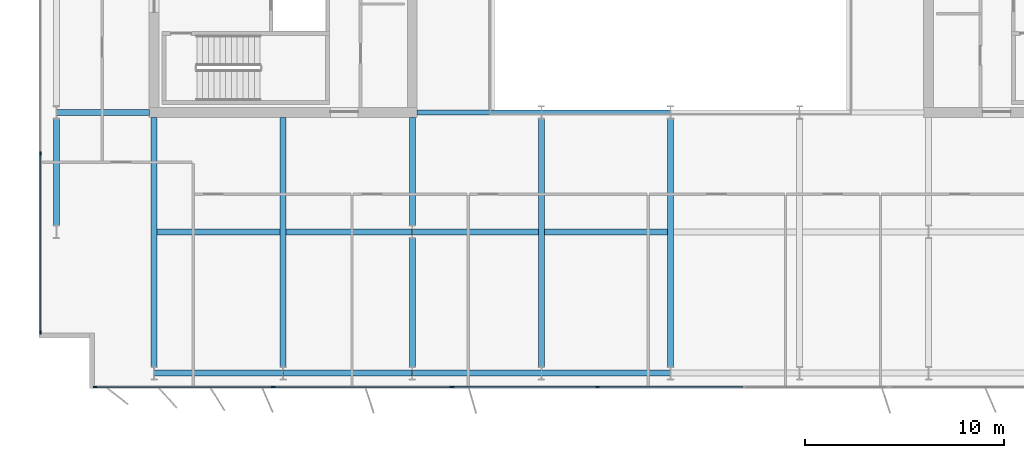
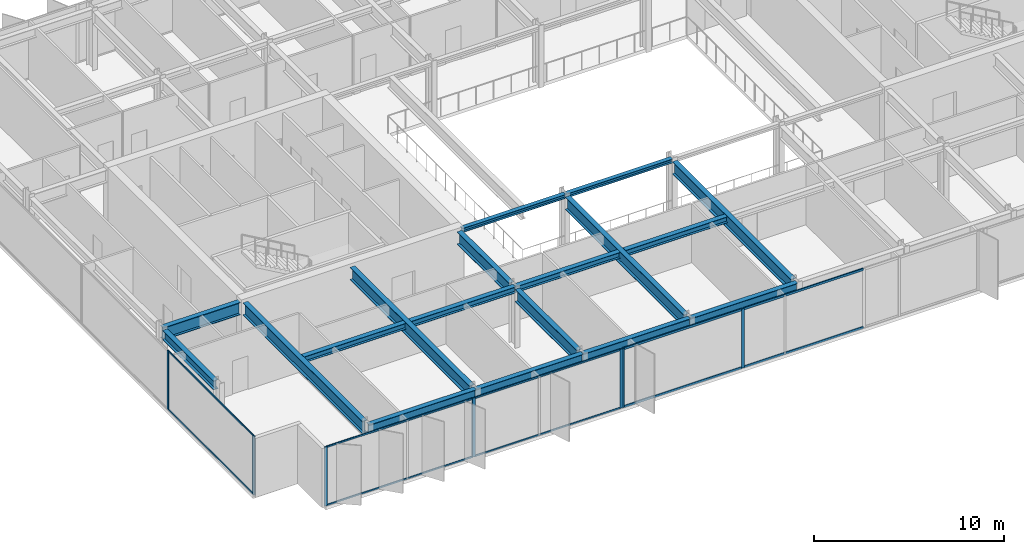
# One storey, part 4 of 20: 18 beams, 17 members, 3 elements without a shape of their own.
"""IFC4 building model written with IfcOpenShell, lengths in metres."""

from ifc_helpers import new_model, si_unit, direction, frame, origin, origin_2d, place, context, subcontext, project, spatial, rectangle, i_section, extrude, material, layer, layer_set, material_profile, profile_set, type_object, element, aggregate, save


model = new_model("IFC4")

# Units and contexts
model_context = context("Model", 3, precision=1e-05, world=origin(), true_north=direction((0.0, 1.0)))
body_context = subcontext(model_context, "Body", "Model", "MODEL_VIEW")
ifc_project = project(units=[si_unit("LENGTHUNIT", "METRE"), si_unit("AREAUNIT", "SQUARE_METRE"), si_unit("VOLUMEUNIT", "CUBIC_METRE"), si_unit("PLANEANGLEUNIT", "RADIAN"), si_unit("MASSUNIT", "GRAM", prefix="KILO")], contexts=[model_context])

# Site, building, storey
site_placement = place(None, origin())
site = spatial("IfcSite", under=ifc_project, at=site_placement, CompositionType="ELEMENT")
building_placement = place(site_placement, origin())
building = spatial("IfcBuilding", under=site, at=building_placement, Name="Putna Gate Headquarters", CompositionType="ELEMENT")
storey_placement = place(building_placement, frame((0.0, 0.0, 282.39990234375)))
storey = spatial("IfcBuildingStorey", under=building, at=storey_placement, Name="L71", CompositionType="ELEMENT", Elevation=282.39990234375)

# Beams
ifc_material_1 = material(Name="Steel S355J2", Category="steel")
ifc_material_profile_1 = material_profile(ifc_material_1, i_section(OverallWidth=0.260009765625, OverallDepth=0.260009765625, WebThickness=0.010009765625, FlangeThickness=0.017578125, at=origin_2d()), Name="Steel S355J2")
ifc_profile_set_1 = profile_set([ifc_material_profile_1], Name="Steel S355J2")
beam_type_1 = type_object("IfcBeamType", Name="BM-ATRIUM-HEB260", PredefinedType="BEAM", material=ifc_profile_set_1)
beam_1_placement = place(storey_placement, frame((26.235107421875, 19.0, 3.658203125), z_axis=(1.0, 0.0, 0.0), x_axis=(0.0, 1.0, 0.0)))
element("IfcBeam", 1, at=beam_1_placement, inside=storey, type_object=beam_type_1, Name="L71 Atrium Edge Beam AS1", PredefinedType="BEAM", context=body_context, shape_type="SweptSolid", body=[
    extrude(i_section(OverallWidth=0.260009765625, OverallDepth=0.260009765625, WebThickness=0.010009765625, FlangeThickness=0.017578125, at=origin_2d()), origin(), (0.0, 0.0, 1.0), 6.2587890625),
])
beam_2_placement = place(storey_placement, frame((32.506103515625, 19.0, 3.658203125), z_axis=(1.0, 0.0, 0.0), x_axis=(0.0, 1.0, 0.0)))
element("IfcBeam", 2, at=beam_2_placement, inside=storey, type_object=beam_type_1, Name="L71 Atrium Edge Beam AS2", PredefinedType="BEAM", context=body_context, shape_type="SweptSolid", body=[
    extrude(i_section(OverallWidth=0.260009765625, OverallDepth=0.260009765625, WebThickness=0.010009765625, FlangeThickness=0.017578125, at=origin_2d()), origin(), (0.0, 0.0, 1.0), 6.48779296875),
])
ifc_material_profile_2 = material_profile(ifc_material_1, i_section(OverallWidth=0.300048828125, OverallDepth=0.800048828125, WebThickness=0.017578125, FlangeThickness=0.032958984375, at=origin_2d()), Name="Steel S355J2")
ifc_profile_set_2 = profile_set([ifc_material_profile_2], Name="Steel S355J2")
beam_type_2 = type_object("IfcBeamType", Name="BM-GIRD-P-HEB800", PredefinedType="USERDEFINED", material=ifc_profile_set_2)
beam_3_placement = place(storey_placement, frame((8.0859375, 19.0, 3.38818359375), z_axis=(1.0, 0.0, 0.0), x_axis=(0.0, 1.0, 0.0)))
element("IfcBeam", 3, at=beam_3_placement, inside=storey, type_object=beam_type_2, Name="L71 West Wing Girder Y19", ObjectType="GIRDER", PredefinedType="USERDEFINED", context=body_context, shape_type="SweptSolid", body=[
    extrude(i_section(OverallWidth=0.300048828125, OverallDepth=0.800048828125, WebThickness=0.017578125, FlangeThickness=0.032958984375, at=origin_2d()), origin(), (0.0, 0.0, 1.0), 4.678955078125),
])
for number, where, z_axis, x_axis, name in (
    (4, (13.0, 6.201904296875, 3.38818359375), (0.0, 1.0, 0.0), (-1.0, 0.0, 0.0), "L71 South Primary Girder X13"),
    (5, (19.5, 6.201904296875, 3.38818359375), (0.0, 1.0, 0.0), (-1.0, 0.0, 0.0), "L71 South Primary Girder X19"),
):
    element("IfcBeam", number, at=place(storey_placement, frame(where, z_axis=z_axis, x_axis=x_axis)), inside=storey, type_object=beam_type_2, Name=name, ObjectType="GIRDER", PredefinedType="USERDEFINED", context=body_context, shape_type="SweptSolid", body=[
        extrude(i_section(OverallWidth=0.300048828125, OverallDepth=0.800048828125, WebThickness=0.017578125, FlangeThickness=0.032958984375, at=origin_2d()), origin(), (0.0, 0.0, 1.0), 12.56298828125),
    ])
beam_4_placement = place(storey_placement, frame((26.0, 6.201904296875, 3.38818359375), z_axis=(0.0, 1.0, 0.0), x_axis=(-1.0, 0.0, 0.0)))
element("IfcBeam", 6, at=beam_4_placement, inside=storey, type_object=beam_type_2, Name="L71 South Primary Girder X26-1", ObjectType="GIRDER", PredefinedType="USERDEFINED", context=body_context, shape_type="SweptSolid", body=[
    extrude(i_section(OverallWidth=0.300048828125, OverallDepth=0.800048828125, WebThickness=0.017578125, FlangeThickness=0.032958984375, at=origin_2d()), origin(), (0.0, 0.0, 1.0), 6.47607421875),
])
beam_5_placement = place(storey_placement, frame((26.0, 13.322021484375, 3.38818359375), z_axis=(0.0, 1.0, 0.0), x_axis=(-1.0, 0.0, 0.0)))
element("IfcBeam", 7, at=beam_5_placement, inside=storey, type_object=beam_type_2, Name="L71 South Primary Girder X26-2", ObjectType="GIRDER", PredefinedType="USERDEFINED", context=body_context, shape_type="SweptSolid", body=[
    extrude(i_section(OverallWidth=0.300048828125, OverallDepth=0.800048828125, WebThickness=0.017578125, FlangeThickness=0.032958984375, at=origin_2d()), origin(), (0.0, 0.0, 1.0), 5.44287109375),
])
for number, where, z_axis, x_axis, name in (
    (8, (32.5, 6.201904296875, 3.38818359375), (0.0, 1.0, 0.0), (-1.0, 0.0, 0.0), "L71 South Primary Girder X32"),
    (9, (39.0, 6.201904296875, 3.38818359375), (0.0, 1.0, 0.0), (-1.0, 0.0, 0.0), "L71 South Primary Girder X39"),
):
    element("IfcBeam", number, at=place(storey_placement, frame(where, z_axis=z_axis, x_axis=x_axis)), inside=storey, type_object=beam_type_2, Name=name, ObjectType="GIRDER", PredefinedType="USERDEFINED", context=body_context, shape_type="SweptSolid", body=[
        extrude(i_section(OverallWidth=0.300048828125, OverallDepth=0.800048828125, WebThickness=0.017578125, FlangeThickness=0.032958984375, at=origin_2d()), origin(), (0.0, 0.0, 1.0), 12.47607421875),
    ])
ifc_material_profile_3 = material_profile(ifc_material_1, i_section(OverallWidth=0.300048828125, OverallDepth=0.389892578125, WebThickness=0.010986328125, FlangeThickness=0.01904296875, at=origin_2d()), Name="Steel S355J2")
ifc_profile_set_3 = profile_set([ifc_material_profile_3], Name="Steel S355J2")
beam_type_3 = type_object("IfcBeamType", Name="BM-SEC-Z5-HEA400", PredefinedType="BEAM", material=ifc_profile_set_3)
beam_6_placement = place(storey_placement, frame((13.154052734375, 13.0, 3.593017578125), z_axis=(1.0, 0.0, 0.0), x_axis=(0.0, 1.0, 0.0)))
element("IfcBeam", 10, at=beam_6_placement, inside=storey, type_object=beam_type_3, Name="L71 South Secondary Beam 1", PredefinedType="BEAM", context=body_context, shape_type="SweptSolid", body=[
    extrude(i_section(OverallWidth=0.300048828125, OverallDepth=0.389892578125, WebThickness=0.010986328125, FlangeThickness=0.01904296875, at=origin_2d()), origin(), (0.0, 0.0, 1.0), 6.19189453125),
])
for number, where, z_axis, x_axis, name in (
    (11, (19.654052734375, 13.0, 3.593017578125), (1.0, 0.0, 0.0), (0.0, 1.0, 0.0), "L71 South Secondary Beam 2"),
    (12, (26.006103515625, 13.0, 3.593017578125), (1.0, 0.0, 0.0), (0.0, 1.0, 0.0), "L71 South Secondary Beam 3"),
):
    element("IfcBeam", number, at=place(storey_placement, frame(where, z_axis=z_axis, x_axis=x_axis)), inside=storey, type_object=beam_type_3, Name=name, PredefinedType="BEAM", context=body_context, shape_type="SweptSolid", body=[
        extrude(i_section(OverallWidth=0.300048828125, OverallDepth=0.389892578125, WebThickness=0.010986328125, FlangeThickness=0.01904296875, at=origin_2d()), origin(), (0.0, 0.0, 1.0), 6.33984375),
    ])
beam_7_placement = place(storey_placement, frame((32.654052734375, 13.0, 3.593017578125), z_axis=(1.0, 0.0, 0.0), x_axis=(0.0, 1.0, 0.0)))
element("IfcBeam", 13, at=beam_7_placement, inside=storey, type_object=beam_type_3, Name="L71 South Secondary Beam 4", PredefinedType="BEAM", context=body_context, shape_type="SweptSolid", body=[
    extrude(i_section(OverallWidth=0.300048828125, OverallDepth=0.389892578125, WebThickness=0.010986328125, FlangeThickness=0.01904296875, at=origin_2d()), origin(), (0.0, 0.0, 1.0), 6.19189453125),
])
ifc_material_profile_4 = material_profile(ifc_material_1, i_section(OverallWidth=0.300048828125, OverallDepth=0.590087890625, WebThickness=0.012939453125, FlangeThickness=0.02490234375, at=origin_2d()), Name="Steel S355J2")
ifc_profile_set_4 = profile_set([ifc_material_profile_4], Name="Steel S355J2")
beam_type_4 = type_object("IfcBeamType", Name="BM-SPAN-Z4-HEA600", PredefinedType="SPANDREL", material=ifc_profile_set_4)
for number, where, z_axis, x_axis, name in (
    (14, (13.006103515625, 5.8798828125, 3.4931640625), (1.0, 0.0, 0.0), (0.0, 1.0, 0.0), "L71 S Perimeter Spandrel 1"),
    (15, (19.506103515625, 5.8798828125, 3.4931640625), (1.0, 0.0, 0.0), (0.0, 1.0, 0.0), "L71 S Perimeter Spandrel 2"),
    (16, (26.006103515625, 5.8798828125, 3.4931640625), (1.0, 0.0, 0.0), (0.0, 1.0, 0.0), "L71 S Perimeter Spandrel 3"),
    (17, (32.506103515625, 5.8798828125, 3.4931640625), (1.0, 0.0, 0.0), (0.0, 1.0, 0.0), "L71 S Perimeter Spandrel 4"),
):
    element("IfcBeam", number, at=place(storey_placement, frame(where, z_axis=z_axis, x_axis=x_axis)), inside=storey, type_object=beam_type_4, Name=name, PredefinedType="SPANDREL", context=body_context, shape_type="SweptSolid", body=[
        extrude(i_section(OverallWidth=0.300048828125, OverallDepth=0.590087890625, WebThickness=0.012939453125, FlangeThickness=0.02490234375, at=origin_2d()), origin(), (0.0, 0.0, 1.0), 6.48779296875),
    ])
beam_8_placement = place(storey_placement, frame((8.080078125, 13.322021484375, 3.4931640625), z_axis=(0.0, 1.0, 0.0), x_axis=(-1.0, 0.0, 0.0)))
element("IfcBeam", 18, at=beam_8_placement, inside=storey, type_object=beam_type_4, Name="L71 W End Spandrel 1", PredefinedType="SPANDREL", context=body_context, shape_type="SweptSolid", body=[
    extrude(i_section(OverallWidth=0.300048828125, OverallDepth=0.590087890625, WebThickness=0.012939453125, FlangeThickness=0.02490234375, at=origin_2d()), origin(), (0.0, 0.0, 1.0), 5.35595703125),
])

# Curtain wall, members
ifc_material_2 = material(Name="Anodised bronze aluminium curtain wall", Category="aluminium")
ifc_layer_1 = layer(ifc_material_2, 0.179931640625)
ifc_layer_set_1 = layer_set([ifc_layer_1], Name="Anodised bronze aluminium curtain wall")
curtain_wall_type_1 = type_object("IfcCurtainWallType", Name="CW-SYS-Z5", PredefinedType="USERDEFINED", material=ifc_layer_set_1)
curtain_wall_1_placement = place(storey_placement, origin())
curtain_wall_1 = element("IfcCurtainWall", 19, at=curtain_wall_1_placement, inside=storey, type_object=curtain_wall_type_1, Name="L71 South West Curtain Wall", ObjectType="STICK CURTAIN WALL", PredefinedType="USERDEFINED")
ifc_material_3 = material(Name="Anodised bronze aluminium EN AW-6060", Category="aluminium")
ifc_material_profile_5 = material_profile(ifc_material_3, rectangle(XDim=0.070068359375, YDim=0.179931640625, at=origin_2d()), Name="Anodised bronze aluminium EN AW-6060")
ifc_profile_set_5 = profile_set([ifc_material_profile_5], Name="Anodised bronze aluminium EN AW-6060")
member_type_1 = type_object("IfcMemberType", Name="MULL-CWM-5", PredefinedType="MULLION", material=ifc_profile_set_5)
member_1_placement = place(storey_placement, frame((10.034912109375, 5.179931640625, 0.0), z_axis=(0.0, 0.0, 1.0), x_axis=(0.0, 1.0, 0.0)))
member_1 = element("IfcMember", 20, at=member_1_placement, type_object=member_type_1, Name="CWS-5 mullion 1", PredefinedType="MULLION", context=body_context, shape_type="SweptSolid", body=[
    extrude(rectangle(XDim=0.070068359375, YDim=0.179931640625, at=origin_2d()), origin(), (0.0, 0.0, 1.0), 3.7880859375),
])
member_2_placement = place(storey_placement, frame((19.0, 5.179931640625, 0.0), z_axis=(0.0, 0.0, 1.0), x_axis=(0.0, 1.0, 0.0)))
member_2 = element("IfcMember", 21, at=member_2_placement, type_object=member_type_1, Name="CWS-5 mullion 2", PredefinedType="MULLION", context=body_context, shape_type="SweptSolid", body=[
    extrude(rectangle(XDim=0.070068359375, YDim=0.179931640625, at=origin_2d()), origin(), (0.0, 0.0, 1.0), 3.7880859375),
])
member_3_placement = place(storey_placement, frame((27.965087890625, 5.179931640625, 0.0), z_axis=(0.0, 0.0, 1.0), x_axis=(0.0, 1.0, 0.0)))
member_3 = element("IfcMember", 22, at=member_3_placement, type_object=member_type_1, Name="CWS-5 mullion 3", PredefinedType="MULLION", context=body_context, shape_type="SweptSolid", body=[
    extrude(rectangle(XDim=0.070068359375, YDim=0.179931640625, at=origin_2d()), origin(), (0.0, 0.0, 1.0), 3.7880859375),
])

curtain_wall_2_placement = place(storey_placement, origin())
curtain_wall_2 = element("IfcCurtainWall", 23, at=curtain_wall_2_placement, inside=storey, type_object=curtain_wall_type_1, Name="L71 West Curtain Wall", ObjectType="STICK CURTAIN WALL", PredefinedType="USERDEFINED")
member_4_placement = place(storey_placement, frame((7.280029296875, 7.93505859375, 0.0), z_axis=(0.0, 0.0, 1.0), x_axis=(-1.0, 0.0, 0.0)))
member_4 = element("IfcMember", 24, at=member_4_placement, type_object=member_type_1, Name="CWS-5 mullion 1", PredefinedType="MULLION", context=body_context, shape_type="SweptSolid", body=[
    extrude(rectangle(XDim=0.070068359375, YDim=0.179931640625, at=origin_2d()), origin(), (0.0, 0.0, 1.0), 3.7880859375),
])
member_5_placement = place(storey_placement, frame((7.280029296875, 16.949951171875, 0.0), z_axis=(0.0, 0.0, 1.0), x_axis=(-1.0, 0.0, 0.0)))
member_5 = element("IfcMember", 25, at=member_5_placement, type_object=member_type_1, Name="CWS-5 mullion 2", PredefinedType="MULLION", context=body_context, shape_type="SweptSolid", body=[
    extrude(rectangle(XDim=0.070068359375, YDim=0.179931640625, at=origin_2d()), origin(), (0.0, 0.0, 1.0), 3.7880859375),
])

ifc_layer_2 = layer(ifc_material_2, 0.179931640625)
ifc_layer_set_2 = layer_set([ifc_layer_2], Name="Anodised bronze aluminium curtain wall")
curtain_wall_type_2 = type_object("IfcCurtainWallType", Name="CW-SYS-ATR", PredefinedType="USERDEFINED", material=ifc_layer_set_2)
curtain_wall_3_placement = place(storey_placement, origin())
curtain_wall_3 = element("IfcCurtainWall", 26, at=curtain_wall_3_placement, inside=storey, type_object=curtain_wall_type_2, Name="L71 South Atrium Clear Glazing", ObjectType="ATRIUM GLAZING", PredefinedType="USERDEFINED")
ifc_material_profile_6 = material_profile(ifc_material_3, rectangle(XDim=0.070068359375, YDim=0.179931640625, at=origin_2d()), Name="Anodised bronze aluminium EN AW-6060")
ifc_profile_set_6 = profile_set([ifc_material_profile_6], Name="Anodised bronze aluminium EN AW-6060")
member_type_2 = type_object("IfcMemberType", Name="MULL-CWM-AT", PredefinedType="MULLION", material=ifc_profile_set_6)
member_6_placement = place(storey_placement, frame((28.034912109375, 5.179931640625, 0.0), z_axis=(0.0, 0.0, 1.0), x_axis=(0.0, 1.0, 0.0)))
member_6 = element("IfcMember", 27, at=member_6_placement, type_object=member_type_2, Name="CWS-AT mullion 1", PredefinedType="MULLION", context=body_context, shape_type="SweptSolid", body=[
    extrude(rectangle(XDim=0.070068359375, YDim=0.179931640625, at=origin_2d()), origin(), (0.0, 0.0, 1.0), 3.7880859375),
])
member_7_placement = place(storey_placement, frame((35.333251953125, 5.179931640625, 0.0), z_axis=(0.0, 0.0, 1.0), x_axis=(0.0, 1.0, 0.0)))
member_7 = element("IfcMember", 28, at=member_7_placement, type_object=member_type_2, Name="CWS-AT mullion 2", PredefinedType="MULLION", context=body_context, shape_type="SweptSolid", body=[
    extrude(rectangle(XDim=0.070068359375, YDim=0.179931640625, at=origin_2d()), origin(), (0.0, 0.0, 1.0), 3.7880859375),
])

# Member
ifc_material_profile_7 = material_profile(ifc_material_3, rectangle(XDim=0.06005859375, YDim=0.10009765625, at=origin_2d()), Name="Anodised bronze aluminium EN AW-6060")
ifc_profile_set_7 = profile_set([ifc_material_profile_7], Name="Anodised bronze aluminium EN AW-6060")
member_type_3 = type_object("IfcMemberType", Name="TRAN-CWT-5", PredefinedType="USERDEFINED", material=ifc_profile_set_7)
member_8_placement = place(storey_placement, frame((10.070068359375, 5.179931640625, 0.030029296875), z_axis=(1.0, 0.0, 0.0), x_axis=(0.0, 1.0, 0.0)))
member_8 = element("IfcMember", 29, at=member_8_placement, type_object=member_type_3, Name="CWS-5 transom 1.1", ObjectType="TRANSOM", PredefinedType="USERDEFINED", context=body_context, shape_type="SweptSolid", body=[
    extrude(rectangle(XDim=0.06005859375, YDim=0.10009765625, at=origin_2d()), origin(), (0.0, 0.0, 1.0), 8.89501953125),
])

member_9_placement = place(storey_placement, frame((10.070068359375, 5.179931640625, 3.758056640625), z_axis=(1.0, 0.0, 0.0), x_axis=(0.0, 1.0, 0.0)))
member_9 = element("IfcMember", 30, at=member_9_placement, type_object=member_type_3, Name="CWS-5 transom 1.2", ObjectType="TRANSOM", PredefinedType="USERDEFINED", context=body_context, shape_type="SweptSolid", body=[
    extrude(rectangle(XDim=0.06005859375, YDim=0.10009765625, at=origin_2d()), origin(), (0.0, 0.0, 1.0), 8.89501953125),
])

member_10_placement = place(storey_placement, frame((19.034912109375, 5.179931640625, 0.030029296875), z_axis=(1.0, 0.0, 0.0), x_axis=(0.0, 1.0, 0.0)))
member_10 = element("IfcMember", 31, at=member_10_placement, type_object=member_type_3, Name="CWS-5 transom 2.1", ObjectType="TRANSOM", PredefinedType="USERDEFINED", context=body_context, shape_type="SweptSolid", body=[
    extrude(rectangle(XDim=0.06005859375, YDim=0.10009765625, at=origin_2d()), origin(), (0.0, 0.0, 1.0), 8.89501953125),
])

member_11_placement = place(storey_placement, frame((19.034912109375, 5.179931640625, 3.758056640625), z_axis=(1.0, 0.0, 0.0), x_axis=(0.0, 1.0, 0.0)))
member_11 = element("IfcMember", 32, at=member_11_placement, type_object=member_type_3, Name="CWS-5 transom 2.2", ObjectType="TRANSOM", PredefinedType="USERDEFINED", context=body_context, shape_type="SweptSolid", body=[
    extrude(rectangle(XDim=0.06005859375, YDim=0.10009765625, at=origin_2d()), origin(), (0.0, 0.0, 1.0), 8.89501953125),
])

aggregate(curtain_wall_1, [member_1, member_2, member_3, member_8, member_9, member_10, member_11])

member_12_placement = place(storey_placement, frame((7.280029296875, 7.969970703125, 0.030029296875), z_axis=(0.0, 1.0, 0.0), x_axis=(-1.0, 0.0, 0.0)))
member_12 = element("IfcMember", 33, at=member_12_placement, type_object=member_type_3, Name="CWS-5 transom 1.1", ObjectType="TRANSOM", PredefinedType="USERDEFINED", context=body_context, shape_type="SweptSolid", body=[
    extrude(rectangle(XDim=0.06005859375, YDim=0.10009765625, at=origin_2d()), origin(), (0.0, 0.0, 1.0), 8.945068359375),
])

member_13_placement = place(storey_placement, frame((7.280029296875, 7.969970703125, 3.758056640625), z_axis=(0.0, 1.0, 0.0), x_axis=(-1.0, 0.0, 0.0)))
member_13 = element("IfcMember", 34, at=member_13_placement, type_object=member_type_3, Name="CWS-5 transom 1.2", ObjectType="TRANSOM", PredefinedType="USERDEFINED", context=body_context, shape_type="SweptSolid", body=[
    extrude(rectangle(XDim=0.06005859375, YDim=0.10009765625, at=origin_2d()), origin(), (0.0, 0.0, 1.0), 8.945068359375),
])

aggregate(curtain_wall_2, [member_4, member_5, member_12, member_13])

ifc_material_profile_8 = material_profile(ifc_material_3, rectangle(XDim=0.070068359375, YDim=0.139892578125, at=origin_2d()), Name="Anodised bronze aluminium EN AW-6060")
ifc_profile_set_8 = profile_set([ifc_material_profile_8], Name="Anodised bronze aluminium EN AW-6060")
member_type_4 = type_object("IfcMemberType", Name="TRAN-CWT-AT", PredefinedType="USERDEFINED", material=ifc_profile_set_8)
member_14_placement = place(storey_placement, frame((28.070068359375, 5.179931640625, 0.03515625), z_axis=(1.0, 0.0, 0.0), x_axis=(0.0, 1.0, 0.0)))
member_14 = element("IfcMember", 35, at=member_14_placement, type_object=member_type_4, Name="CWS-AT transom 1.1", ObjectType="TRANSOM", PredefinedType="USERDEFINED", context=body_context, shape_type="SweptSolid", body=[
    extrude(rectangle(XDim=0.070068359375, YDim=0.139892578125, at=origin_2d()), origin(), (0.0, 0.0, 1.0), 7.228271484375),
])

member_15_placement = place(storey_placement, frame((28.070068359375, 5.179931640625, 3.753173828125), z_axis=(1.0, 0.0, 0.0), x_axis=(0.0, 1.0, 0.0)))
member_15 = element("IfcMember", 36, at=member_15_placement, type_object=member_type_4, Name="CWS-AT transom 1.2", ObjectType="TRANSOM", PredefinedType="USERDEFINED", context=body_context, shape_type="SweptSolid", body=[
    extrude(rectangle(XDim=0.070068359375, YDim=0.139892578125, at=origin_2d()), origin(), (0.0, 0.0, 1.0), 7.228271484375),
])

member_16_placement = place(storey_placement, frame((35.368408203125, 5.179931640625, 0.03515625), z_axis=(1.0, 0.0, 0.0), x_axis=(0.0, 1.0, 0.0)))
member_16 = element("IfcMember", 37, at=member_16_placement, type_object=member_type_4, Name="CWS-AT transom 2.1", ObjectType="TRANSOM", PredefinedType="USERDEFINED", context=body_context, shape_type="SweptSolid", body=[
    extrude(rectangle(XDim=0.070068359375, YDim=0.139892578125, at=origin_2d()), origin(), (0.0, 0.0, 1.0), 7.26318359375),
])

member_17_placement = place(storey_placement, frame((35.368408203125, 5.179931640625, 3.753173828125), z_axis=(1.0, 0.0, 0.0), x_axis=(0.0, 1.0, 0.0)))
member_17 = element("IfcMember", 38, at=member_17_placement, type_object=member_type_4, Name="CWS-AT transom 2.2", ObjectType="TRANSOM", PredefinedType="USERDEFINED", context=body_context, shape_type="SweptSolid", body=[
    extrude(rectangle(XDim=0.070068359375, YDim=0.139892578125, at=origin_2d()), origin(), (0.0, 0.0, 1.0), 7.26318359375),
])

aggregate(curtain_wall_3, [member_6, member_7, member_14, member_15, member_16, member_17])

save(model, "model.ifc")
